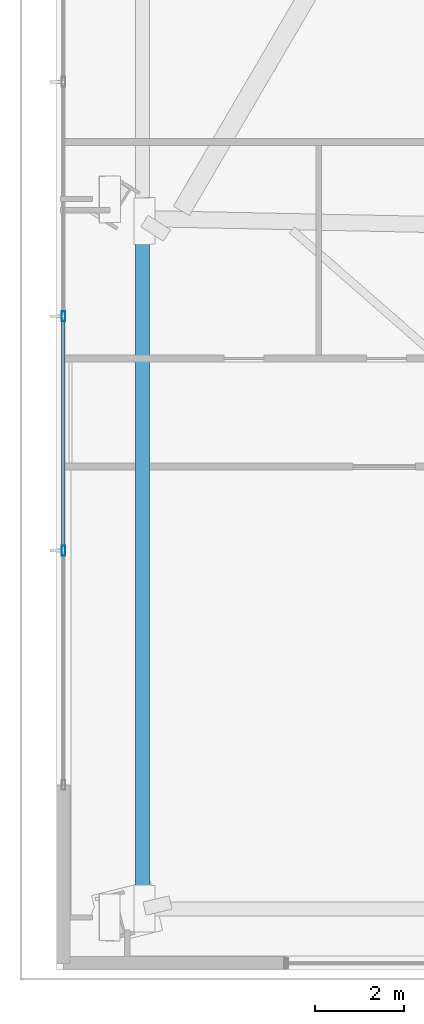
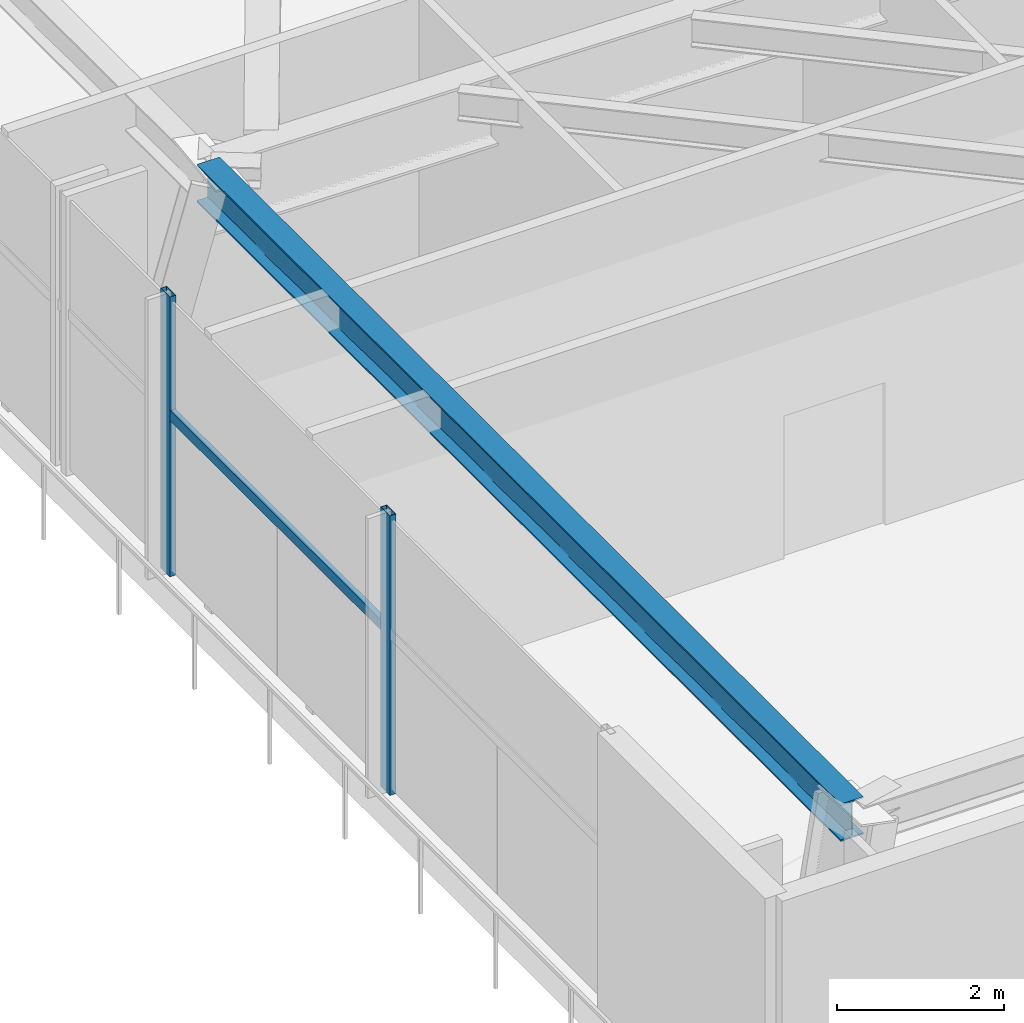
# One storey, part 4 of 36: 3 members, 1 beam, 1 element without a shape of its own.
"""IFC4 building model written with IfcOpenShell, lengths in metres."""

from ifc_helpers import new_model, si_unit, direction, frame, origin, origin_2d, place, context, subcontext, project, spatial, hollow_rectangle, i_section, extrude, source, transform, mapped, material, material_profile, profile_set, type_object, type_shapes, element, aggregate, save


model = new_model("IFC4")

# Units and contexts
model_context = context("Model", 3, precision=1e-05, world=origin(), true_north=direction((0.0, 1.0)))
body_context = subcontext(model_context, "Body", "Model", "MODEL_VIEW")
ifc_project = project(units=[si_unit("LENGTHUNIT", "METRE"), si_unit("AREAUNIT", "SQUARE_METRE"), si_unit("VOLUMEUNIT", "CUBIC_METRE"), si_unit("PLANEANGLEUNIT", "RADIAN"), si_unit("MASSUNIT", "GRAM", prefix="KILO")], contexts=[model_context])

# Site, building, storey
site_placement = place(None, origin())
site = spatial("IfcSite", under=ifc_project, at=site_placement, CompositionType="ELEMENT")
building_placement = place(site_placement, origin())
building = spatial("IfcBuilding", under=site, at=building_placement, Name="Astriad Promenade Condominiums", CompositionType="ELEMENT")
storey_placement = place(building_placement, frame((0.0, 0.0, 5.0)))
storey = spatial("IfcBuildingStorey", under=building, at=storey_placement, Name="L01", CompositionType="ELEMENT", Elevation=5.0)

# Beam
ifc_material_1 = material(Name="Steel ASTM A992 Grade 50", Category="steel")
ifc_material_profile_1 = material_profile(ifc_material_1, i_section(OverallWidth=0.3134765625, OverallDepth=0.54638671875, WebThickness=0.013916015625, FlangeThickness=0.022216796875, FilletRadius=0.0166015625, at=origin_2d()), Name="W21X111")
ifc_profile_set_1 = profile_set([ifc_material_profile_1], Name="Steel ASTM A992 Grade 50")
beam_type = type_object("IfcBeamType", Name="STEEL SPANDREL BEAM W21X111", PredefinedType="SPANDREL", material=ifc_profile_set_1)
shared_shape_1 = source(origin(), body_context, "Body", "SweptSolid", [
    extrude(i_section(OverallWidth=0.3134765625, OverallDepth=0.54638671875, WebThickness=0.013916015625, FlangeThickness=0.022216796875, FilletRadius=0.0166015625, at=origin_2d()), origin(), (0.0, 0.0, 1.0), 15.386962890625),
])
type_shapes(beam_type, [shared_shape_1])
beam_placement = place(storey_placement, frame((3.726318359375, 17.79345703125, 3.806884765625), z_axis=(1.586672e-05, -0.999999999874, 0.0), x_axis=(0.999999999874, 1.586672e-05, 0.0)))
element("IfcBeam", 1, at=beam_placement, inside=storey, type_object=beam_type, Name="Perimeter Spandrel Beam SP-W1-L01", PredefinedType="SPANDREL", context=body_context, shape_type="MappedRepresentation", body=[
    mapped(shared_shape_1, transform((0.0, 0.0, 0.0), scale=1.0)),
])

# Curtain wall, members
ifc_material_2 = material(Name="Anodised aluminium Black Dark Glass Unitised", Category="aluminium")
curtain_wall_type = type_object("IfcCurtainWallType", Name="CW-POD-DARK", PredefinedType="USERDEFINED", material=ifc_material_2)
curtain_wall_placement = place(storey_placement, origin())
curtain_wall = element("IfcCurtainWall", 2, at=curtain_wall_placement, inside=storey, type_object=curtain_wall_type, Name="CW-L01-W", ObjectType="UNITISED_CURTAIN_WALL", PredefinedType="USERDEFINED")
ifc_material_3 = material(Name="Anodised aluminium 6063-T6 Black", Category="aluminium")
ifc_material_profile_2 = material_profile(ifc_material_3, hollow_rectangle(XDim=0.0849609375, YDim=0.219970703125, WallThickness=0.0048828125, at=origin_2d()), Name="ALU-MUL-85X220")
ifc_profile_set_2 = profile_set([ifc_material_profile_2], Name="Anodised aluminium 6063-T6 Black")
member_type_1 = type_object("IfcMemberType", Name="MUL-ALU-MUL-85X220", PredefinedType="MULLION", material=ifc_profile_set_2)
shared_shape_2 = source(origin(), body_context, "Body", "SweptSolid", [
    extrude(hollow_rectangle(XDim=0.0849609375, YDim=0.219970703125, WallThickness=0.0048828125, at=origin_2d()), origin(), (0.0, 0.0, 1.0), 4.080078125),
])
type_shapes(member_type_1, [shared_shape_2])
member_1_placement = place(storey_placement, frame((1.949951171875, 10.409912109375, 0.0), z_axis=(0.0, 0.0, 1.0), x_axis=(1.0, 0.0, 0.0)))
member_1 = element("IfcMember", 3, at=member_1_placement, type_object=member_type_1, Name="CW-L01-W-MUL-01", PredefinedType="MULLION", context=body_context, shape_type="MappedRepresentation", body=[
    mapped(shared_shape_2, transform((0.0, 0.0, 0.0), scale=1.0)),
])
member_2_placement = place(storey_placement, frame((1.949951171875, 15.669921875, 0.0), z_axis=(0.0, 0.0, 1.0), x_axis=(1.0, 0.0, 0.0)))
member_2 = element("IfcMember", 4, at=member_2_placement, type_object=member_type_1, Name="CW-L01-W-MUL-02", PredefinedType="MULLION", context=body_context, shape_type="MappedRepresentation", body=[
    mapped(shared_shape_2, transform((0.0, 0.0, 0.0), scale=1.0)),
])
ifc_material_profile_3 = material_profile(ifc_material_3, hollow_rectangle(XDim=0.074951171875, YDim=0.14990234375, WallThickness=0.004150390625, at=origin_2d()), Name="ALU-TRN-75X150")
ifc_profile_set_3 = profile_set([ifc_material_profile_3], Name="Anodised aluminium 6063-T6 Black")
member_type_2 = type_object("IfcMemberType", Name="TRN-ALU-TRN-75X150", PredefinedType="USERDEFINED", material=ifc_profile_set_3)
shared_shape_3 = source(origin(), body_context, "Body", "SweptSolid", [
    extrude(hollow_rectangle(XDim=0.074951171875, YDim=0.14990234375, WallThickness=0.004150390625, at=origin_2d()), origin(), (0.0, 0.0, 1.0), 5.260009765625),
])
type_shapes(member_type_2, [shared_shape_3])
member_3_placement = place(storey_placement, frame((1.949951171875, 10.409912109375, 2.35009765625), z_axis=(0.0, 1.0, 0.0), x_axis=(-1.0, 0.0, 0.0)))
member_3 = element("IfcMember", 5, at=member_3_placement, type_object=member_type_2, Name="CW-L01-W-TRN-01-0", ObjectType="TRANSOM", PredefinedType="USERDEFINED", context=body_context, shape_type="MappedRepresentation", body=[
    mapped(shared_shape_3, transform((0.0, 0.0, 0.0), scale=1.0)),
])
aggregate(curtain_wall, [member_1, member_2, member_3])

save(model, "model.ifc")
